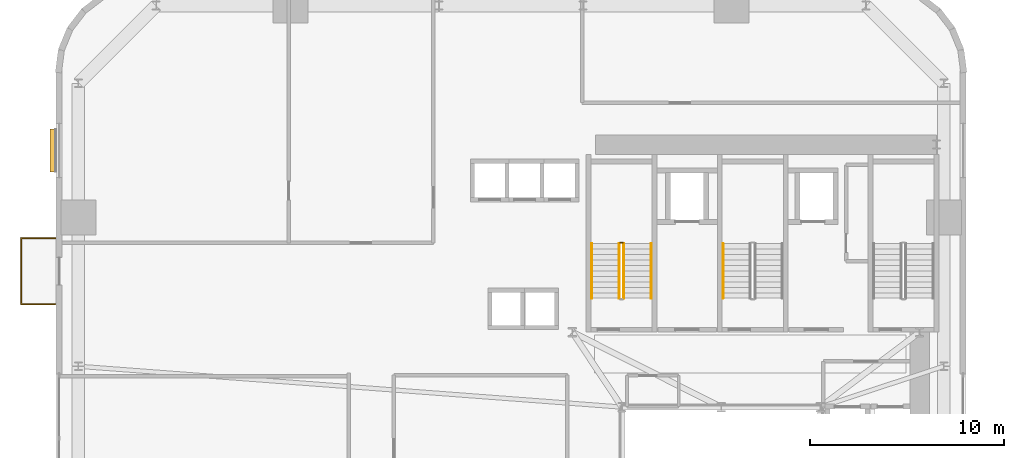
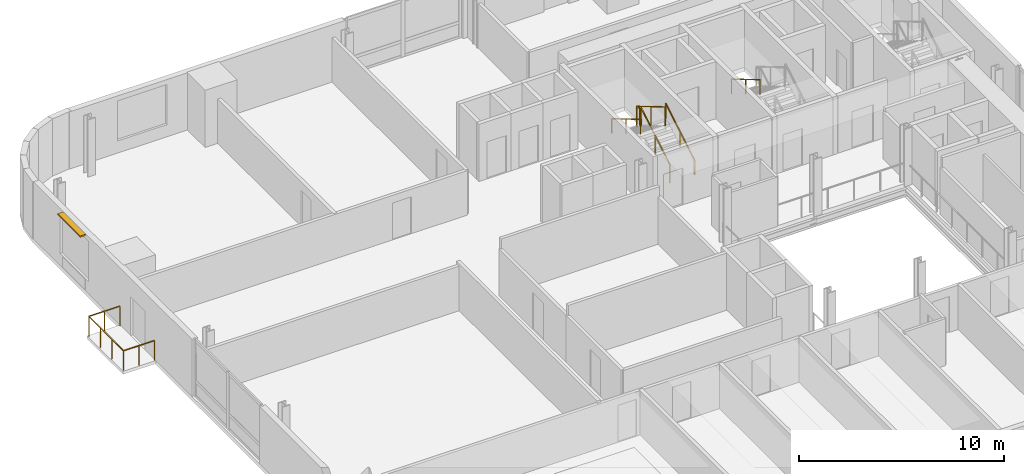
# One storey, part 12 of 13: 7 railings, 1 shading device.
"""IFC4 building model written with IfcOpenShell, lengths in metres."""

from ifc_helpers import new_model, si_unit, direction, frame, origin, origin_2d, place, context, subcontext, project, spatial, rectangle, extrude, source, transform, mapped, material, layer, layer_set, type_object, element, save


model = new_model("IFC4")

# Units and contexts
model_context = context("Model", 3, precision=1e-05, world=origin(), true_north=direction((0.0, 1.0)))
body_context = subcontext(model_context, "Body", "Model", "MODEL_VIEW")
ifc_project = project(units=[si_unit("LENGTHUNIT", "METRE"), si_unit("AREAUNIT", "SQUARE_METRE"), si_unit("VOLUMEUNIT", "CUBIC_METRE"), si_unit("PLANEANGLEUNIT", "RADIAN"), si_unit("MASSUNIT", "GRAM", prefix="KILO")], contexts=[model_context])

# Site, building, storey
site_placement = place(None, origin())
site = spatial("IfcSite", under=ifc_project, at=site_placement, CompositionType="ELEMENT")
building_placement = place(site_placement, origin())
building = spatial("IfcBuilding", under=site, at=building_placement, Name="Vardaveli Station Tower", CompositionType="ELEMENT")
storey_placement = place(building_placement, frame((0.0, 0.0, 86.0)))
storey = spatial("IfcBuildingStorey", under=building, at=storey_placement, Name="L22", CompositionType="ELEMENT", Elevation=86.0)

# Railing
ifc_material_1 = material(Name="Laminated glass and stainless steel balustrade", Category="steel")
railing_type_1 = type_object("IfcRailingType", Name="RL-BAL-1200", PredefinedType="BALUSTRADE", material=ifc_material_1)
shared_shape_1 = source(origin(), body_context, "Body", "SweptSolid", [
    extrude(rectangle(XDim=0.048095703125, YDim=0.048095703125, at=origin_2d()), frame((0.0, 0.0, 1.17578125), z_axis=(-1.0, 0.0, 0.0), x_axis=(0.0, -1.0, 0.0)), (0.0, 0.0, 1.0), 1.75),
    extrude(rectangle(XDim=0.048095703125, YDim=0.048095703125, at=origin_2d()), frame((-1.75, 0.0, 1.17578125), z_axis=(0.0, 1.0, 0.0), x_axis=(-1.0, 0.0, 0.0)), (0.0, 0.0, 1.0), 3.3798828125),
    extrude(rectangle(XDim=0.048095703125, YDim=0.048095703125, at=origin_2d()), frame((-1.75, 3.3798828125, 1.17578125), z_axis=(1.0, 0.0, 0.0), x_axis=(0.0, 1.0, 0.0)), (0.0, 0.0, 1.0), 1.75),
    extrude(rectangle(XDim=0.0419921875, YDim=0.0419921875, at=origin_2d()), origin(), (0.0, 0.0, 1.0), 1.15185546875),
    extrude(rectangle(XDim=0.0419921875, YDim=0.0419921875, at=origin_2d()), frame((-0.875, 0.0, 0.0)), (0.0, 0.0, 1.0), 1.15185546875),
    extrude(rectangle(XDim=0.0419921875, YDim=0.0419921875, at=origin_2d()), frame((-1.75, 0.0, 0.0)), (0.0, 0.0, 1.0), 1.15185546875),
    extrude(rectangle(XDim=0.0419921875, YDim=0.0419921875, at=origin_2d()), frame((-1.75, 1.126708984375, 0.0)), (0.0, 0.0, 1.0), 1.15185546875),
    extrude(rectangle(XDim=0.0419921875, YDim=0.0419921875, at=origin_2d()), frame((-1.75, 2.253173828125, 0.0)), (0.0, 0.0, 1.0), 1.15185546875),
    extrude(rectangle(XDim=0.0419921875, YDim=0.0419921875, at=origin_2d()), frame((-1.75, 3.3798828125, 0.0)), (0.0, 0.0, 1.0), 1.15185546875),
    extrude(rectangle(XDim=0.0419921875, YDim=0.0419921875, at=origin_2d()), frame((-0.875, 3.3798828125, 0.0)), (0.0, 0.0, 1.0), 1.15185546875),
    extrude(rectangle(XDim=0.0419921875, YDim=0.0419921875, at=origin_2d()), frame((0.0, 3.3798828125, 0.0)), (0.0, 0.0, 1.0), 1.15185546875),
])
railing_1_placement = place(storey_placement, frame((2.06005859375, 32.099609375, 0.0)))
element("IfcRailing", 1, at=railing_1_placement, inside=storey, type_object=railing_type_1, Name="RL-LOG-L22-03", PredefinedType="BALUSTRADE", context=body_context, shape_type="MappedRepresentation", body=[
    mapped(shared_shape_1, transform((0.0, 0.0, 0.0), scale=1.0)),
])

# Shading device
ifc_material_2 = material(Name="Anodised champagne aluminium sunshade", Category="aluminium")
ifc_layer = layer(ifc_material_2, 0.090087890625, Name="Anodised champagne aluminium sunshade")
ifc_layer_set = layer_set([ifc_layer], Name="Anodised champagne aluminium sunshade")
shading_device_type = type_object("IfcShadingDeviceType", Name="SHD-SUNSHADE", PredefinedType="USERDEFINED", material=ifc_layer_set)
shared_shape_2 = source(origin(), body_context, "Body", "SweptSolid", [
    extrude(rectangle(XDim=2.199951171875, YDim=0.320068359375, at=origin_2d()), origin(), (0.0, 0.0, 1.0), 0.090087890625),
])
shading_device_placement = place(storey_placement, frame((1.955078125, 39.9951171875, 3.2900390625), z_axis=(0.0, 0.0, 1.0), x_axis=(0.0, 1.0, 0.0)))
element("IfcShadingDevice", 2, at=shading_device_placement, inside=storey, type_object=shading_device_type, Name="SHD-SS-L22-W", ObjectType="SUNSHADE", PredefinedType="USERDEFINED", context=body_context, shape_type="MappedRepresentation", body=[
    mapped(shared_shape_2, transform((0.0, 0.0, 0.0), scale=1.0)),
])

# Railings
ifc_material_3 = material(Name="Brushed AISI 316 stainless steel", Category="steel")
railing_type_2 = type_object("IfcRailingType", Name="RL-GUARD-1150", PredefinedType="GUARDRAIL", material=ifc_material_3)
shared_shape_3 = source(origin(), body_context, "Body", "SweptSolid", [
    extrude(rectangle(XDim=0.048095703125, YDim=0.048095703125, at=origin_2d()), frame((0.0, 0.0, 1.1259765625), z_axis=(-1.0, 0.0, 0.0), x_axis=(0.0, -1.0, 0.0)), (0.0, 0.0, 1.0), 0.14990234375),
    extrude(rectangle(XDim=0.0419921875, YDim=0.0419921875, at=origin_2d()), origin(), (0.0, 0.0, 1.0), 1.101806640625),
    extrude(rectangle(XDim=0.0419921875, YDim=0.0419921875, at=origin_2d()), frame((-0.14990234375, 0.0, 0.0)), (0.0, 0.0, 1.0), 1.101806640625),
])
railing_2_placement = place(storey_placement, frame((31.25, 35.25, 1.824951171875)))
element("IfcRailing", 3, at=railing_2_placement, inside=storey, type_object=railing_type_2, Name="L22 ST-1 stair guard 2", PredefinedType="GUARDRAIL", context=body_context, shape_type="MappedRepresentation", body=[
    mapped(shared_shape_3, transform((0.0, 0.0, 0.0), scale=1.0)),
])
shared_shape_4 = source(origin(), body_context, "Body", "SweptSolid", [
    extrude(rectangle(XDim=0.048095703125, YDim=0.048095703125, at=origin_2d()), frame((0.0, 0.0, 1.1259765625), z_axis=(0.0, 0.860339051648, 0.50972219513), x_axis=(-1.0, 0.0, 0.0)), (0.0, 0.0, 1.0), 3.254638671875),
    extrude(rectangle(XDim=0.0419921875, YDim=0.0419921875, at=origin_2d()), origin(), (0.0, 0.0, 1.0), 1.101806640625),
    extrude(rectangle(XDim=0.0419921875, YDim=0.0419921875, at=origin_2d()), frame((0.0, 1.39990234375, 0.82958984375)), (0.0, 0.0, 1.0), 1.101806640625),
    extrude(rectangle(XDim=0.0419921875, YDim=0.0419921875, at=origin_2d()), frame((0.0, 2.800048828125, 1.658935546875)), (0.0, 0.0, 1.0), 1.101806640625),
])
railing_3_placement = place(storey_placement, frame((31.300048828125, 32.39990234375, 0.166015625)))
element("IfcRailing", 4, at=railing_3_placement, inside=storey, type_object=railing_type_2, Name="L22 ST-1 stair guard 1", PredefinedType="GUARDRAIL", context=body_context, shape_type="MappedRepresentation", body=[
    mapped(shared_shape_4, transform((0.0, 0.0, 0.0), scale=1.0)),
])
shared_shape_5 = source(origin(), body_context, "Body", "SweptSolid", [
    extrude(rectangle(XDim=0.048095703125, YDim=0.048095703125, at=origin_2d()), frame((0.0, 0.0, 1.1259765625), z_axis=(0.0, -0.860339051648, 0.50972219513), x_axis=(1.0, 0.0, 0.0)), (0.0, 0.0, 1.0), 3.254638671875),
    extrude(rectangle(XDim=0.0419921875, YDim=0.0419921875, at=origin_2d()), origin(), (0.0, 0.0, 1.0), 1.101806640625),
    extrude(rectangle(XDim=0.0419921875, YDim=0.0419921875, at=origin_2d()), frame((0.0, -1.39990234375, 0.82958984375)), (0.0, 0.0, 1.0), 1.101806640625),
    extrude(rectangle(XDim=0.0419921875, YDim=0.0419921875, at=origin_2d()), frame((0.0, -2.800048828125, 1.658935546875)), (0.0, 0.0, 1.0), 1.101806640625),
])
railing_4_placement = place(storey_placement, frame((31.050048828125, 35.199951171875, 1.990966796875)))
element("IfcRailing", 5, at=railing_4_placement, inside=storey, type_object=railing_type_2, Name="L22 ST-1 stair guard 3", PredefinedType="GUARDRAIL", context=body_context, shape_type="MappedRepresentation", body=[
    mapped(shared_shape_5, transform((0.0, 0.0, 0.0), scale=1.0)),
])
railing_type_3 = type_object("IfcRailingType", Name="RL-HAND-900", PredefinedType="HANDRAIL", material=ifc_material_3)
shared_shape_6 = source(origin(), body_context, "Body", "SweptSolid", [
    extrude(rectangle(XDim=0.048095703125, YDim=0.048095703125, at=origin_2d()), frame((0.0, 0.0, 0.8759765625), z_axis=(0.0, 0.860339051648, 0.50972219513), x_axis=(-1.0, 0.0, 0.0)), (0.0, 0.0, 1.0), 3.254638671875),
    extrude(rectangle(XDim=0.0419921875, YDim=0.0419921875, at=origin_2d()), origin(), (0.0, 0.0, 1.0), 0.851806640625),
    extrude(rectangle(XDim=0.0419921875, YDim=0.0419921875, at=origin_2d()), frame((0.0, 1.39990234375, 0.82958984375)), (0.0, 0.0, 1.0), 0.851806640625),
    extrude(rectangle(XDim=0.0419921875, YDim=0.0419921875, at=origin_2d()), frame((0.0, 2.800048828125, 1.658935546875)), (0.0, 0.0, 1.0), 0.851806640625),
])
railing_5_placement = place(storey_placement, frame((32.699951171875, 32.39990234375, 0.166015625)))
element("IfcRailing", 6, at=railing_5_placement, inside=storey, type_object=railing_type_3, Name="L22 ST-1 stair handrail 1", PredefinedType="HANDRAIL", context=body_context, shape_type="MappedRepresentation", body=[
    mapped(shared_shape_6, transform((0.0, 0.0, 0.0), scale=1.0)),
])
shared_shape_7 = source(origin(), body_context, "Body", "SweptSolid", [
    extrude(rectangle(XDim=0.048095703125, YDim=0.048095703125, at=origin_2d()), frame((0.0, 0.0, 0.8759765625), z_axis=(0.0, -0.860339051648, 0.50972219513), x_axis=(1.0, 0.0, 0.0)), (0.0, 0.0, 1.0), 3.254638671875),
    extrude(rectangle(XDim=0.0419921875, YDim=0.0419921875, at=origin_2d()), origin(), (0.0, 0.0, 1.0), 0.851806640625),
    extrude(rectangle(XDim=0.0419921875, YDim=0.0419921875, at=origin_2d()), frame((0.0, -1.39990234375, 0.82958984375)), (0.0, 0.0, 1.0), 0.851806640625),
    extrude(rectangle(XDim=0.0419921875, YDim=0.0419921875, at=origin_2d()), frame((0.0, -2.800048828125, 1.658935546875)), (0.0, 0.0, 1.0), 0.851806640625),
])
for number, where, name in (
    (7, (29.64990234375, 35.199951171875, 1.990966796875), "L22 ST-1 stair handrail 2"),
    (8, (36.39990234375, 35.199951171875, 1.990966796875), "L22 ST-2 stair handrail 2"),
):
    element("IfcRailing", number, at=place(storey_placement, frame(where)), inside=storey, type_object=railing_type_3, Name=name, PredefinedType="HANDRAIL", context=body_context, shape_type="MappedRepresentation", body=[
        mapped(shared_shape_7, transform((0.0, 0.0, 0.0), scale=1.0)),
    ])

save(model, "model.ifc")
